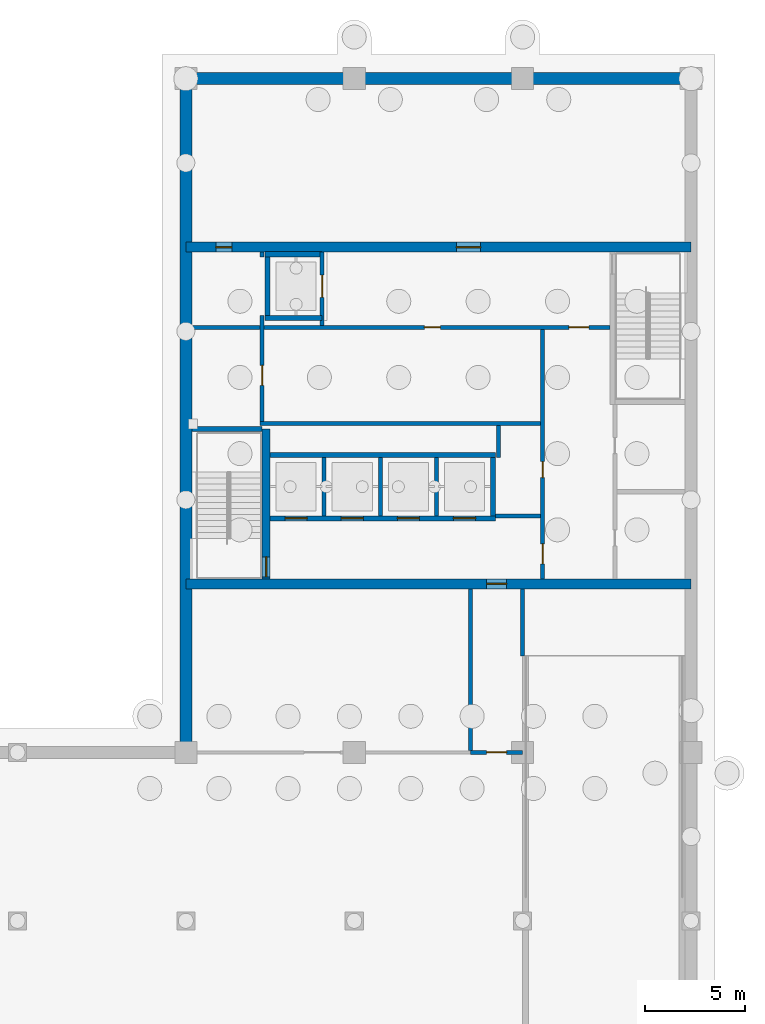
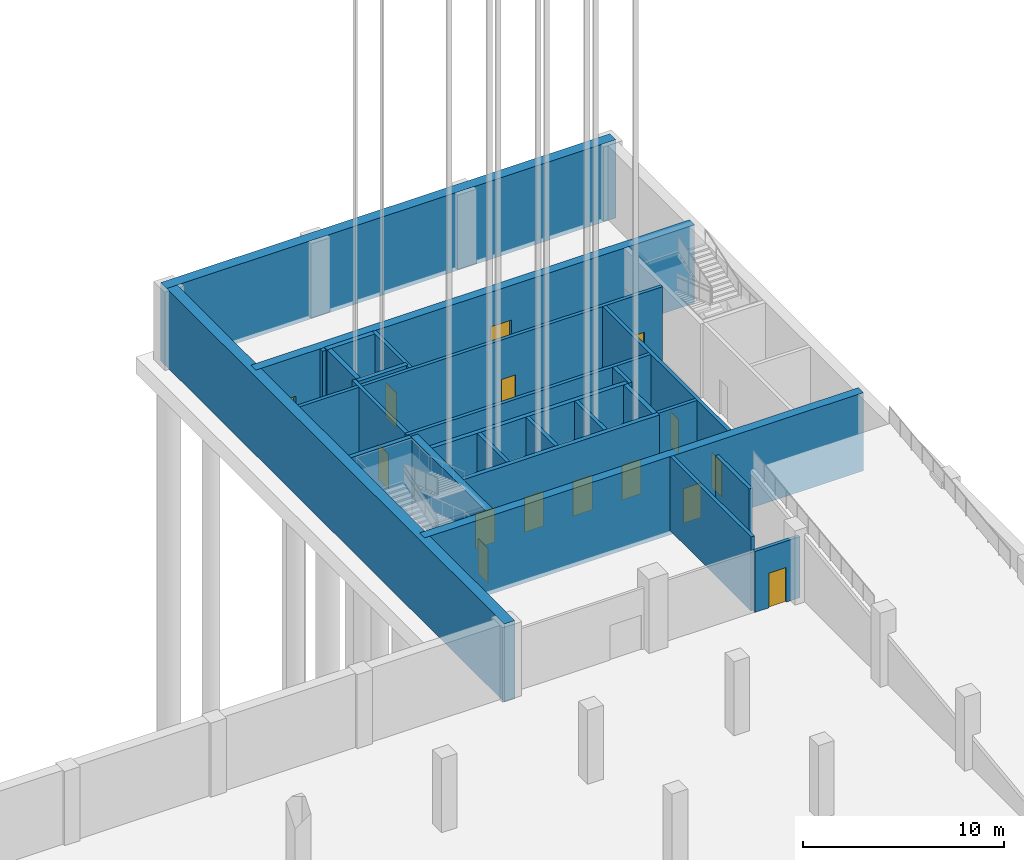
# One storey, part 7 of 26: 26 walls, 15 doors, 15 openings.
"""IFC4 building model written with IfcOpenShell, lengths in metres."""

from ifc_helpers import new_model, si_unit, direction, frame, frame_2d, origin, place, context, subcontext, project, spatial, rectangle, extrude, material, layer, layer_set, type_object, element, fill, save


model = new_model("IFC4")

# Units and contexts
model_context = context("Model", 3, precision=1e-05, world=origin(), true_north=direction((0.0, 1.0)))
body_context = subcontext(model_context, "Body", "Model", "MODEL_VIEW")
ifc_project = project(units=[si_unit("LENGTHUNIT", "METRE"), si_unit("AREAUNIT", "SQUARE_METRE"), si_unit("VOLUMEUNIT", "CUBIC_METRE"), si_unit("PLANEANGLEUNIT", "RADIAN"), si_unit("MASSUNIT", "GRAM", prefix="KILO")], contexts=[model_context])

# Site, building, storey
site_placement = place(None, origin())
site = spatial("IfcSite", under=ifc_project, at=site_placement, CompositionType="ELEMENT")
building_placement = place(site_placement, origin())
building = spatial("IfcBuilding", under=site, at=building_placement, Name="Rulbaag Community and Learning Centre", CompositionType="ELEMENT")
storey_placement = place(building_placement, frame((0.0, 0.0, -9.60009765625)))
storey = spatial("IfcBuildingStorey", under=building, at=storey_placement, Name="B2", CompositionType="ELEMENT", Elevation=-9.60009765625)

# Wall, opening, door
ifc_material_1 = material(Name="Concrete blockwork", Category="masonry")
ifc_layer_1 = layer(ifc_material_1, 0.199951171875)
ifc_layer_set_1 = layer_set([ifc_layer_1], Name="FW-200 FIRE WALL 200")
wall_type_1 = type_object("IfcWallType", Name="FW-200 FIRE WALL 200", PredefinedType="SOLIDWALL", material=ifc_layer_set_1)
wall_1_placement = place(storey_placement, frame((157.0, 84.0, 0.0), z_axis=(0.0, 0.0, 1.0), x_axis=(1.0, 0.0, 0.0)))
wall_1 = element("IfcWall", 1, at=wall_1_placement, inside=storey, type_object=wall_type_1, Name="Fire wall B2 14", PredefinedType="SOLIDWALL", context=body_context, shape_type="SweptSolid", body=[
    extrude(rectangle(XDim=2.60009765625, YDim=0.199951171875, at=frame_2d((1.300048828125, 0.0))), origin(), (0.0, 0.0, 1.0), 3.7001953125),
])
opening_1_placement = place(wall_1_placement, frame((0.800048828125, 0.0, 0.0)))
opening_1 = element("IfcOpeningElement", 2, at=opening_1_placement, cuts=wall_1, Name="Opening B2-D018", PredefinedType="OPENING", context=body_context, shape_type="SweptSolid", body=[
    extrude(rectangle(XDim=1.0, YDim=2.10009765625, at=frame_2d((0.5, 1.050048828125))), frame((0.0, 0.10986328125, 0.0), z_axis=(0.0, -1.0, 0.0), x_axis=(1.0, 0.0, 0.0)), (0.0, 0.0, 1.0), 0.219970703125),
])
ifc_material_2 = material(Name="Galvanised steel", Category="steel")
door_type_1 = type_object("IfcDoorType", Name="FD-1000 FIRE DOOR 1000 x 2100", OperationType="SINGLE_SWING_LEFT", PredefinedType="DOOR", material=ifc_material_2)
door_1_placement = place(opening_1_placement, origin())
door_1 = element("IfcDoor", 3, at=door_1_placement, inside=storey, type_object=door_type_1, Name="Door B2-D018", OperationType="SINGLE_SWING_RIGHT", OverallHeight=2.10009765625, OverallWidth=1.0, PredefinedType="DOOR", context=body_context, shape_type="SweptSolid", body=[
    extrude(rectangle(XDim=1.0, YDim=2.10009765625, at=frame_2d((0.5, 1.050048828125))), frame((0.0, 0.02490234375, 0.0), z_axis=(0.0, -1.0, 0.0), x_axis=(1.0, 0.0, 0.0)), (0.0, 0.0, 1.0), 0.050048828125),
])
fill(opening_1, door_1)

# Walls
wall_2_placement = place(storey_placement, frame((158.25, 95.800048828125, 0.0), z_axis=(0.0, 0.0, 1.0), x_axis=(1.0, 0.0, 0.0)))
element("IfcWall", 4, at=wall_2_placement, inside=storey, type_object=wall_type_1, Name="Fire wall B2 16", PredefinedType="SOLIDWALL", context=body_context, shape_type="SweptSolid", body=[
    extrude(rectangle(XDim=2.25, YDim=0.199951171875, at=frame_2d((1.125, 0.0))), origin(), (0.0, 0.0, 1.0), 4.5),
])
wall_3_placement = place(storey_placement, frame((146.5, 100.39990234375, 0.0), z_axis=(0.0, 0.0, 1.0), x_axis=(1.0, 0.0, 0.0)))
element("IfcWall", 5, at=wall_3_placement, inside=storey, type_object=wall_type_1, Name="Fire wall B2 18", PredefinedType="SOLIDWALL", context=body_context, shape_type="SweptSolid", body=[
    extrude(rectangle(XDim=14.0, YDim=0.199951171875, at=frame_2d((7.0, 0.0))), origin(), (0.0, 0.0, 1.0), 4.5),
])

# Wall, openings, doors
wall_4_placement = place(storey_placement, frame((143.10009765625, 105.199951171875, 0.0), z_axis=(0.0, 0.0, 1.0), x_axis=(1.0, 0.0, 0.0)))
wall_4 = element("IfcWall", 6, at=wall_4_placement, inside=storey, type_object=wall_type_1, Name="Fire wall B2 20", PredefinedType="SOLIDWALL", context=body_context, shape_type="SweptSolid", body=[
    extrude(rectangle(XDim=20.849853515625, YDim=0.199951171875, at=frame_2d((10.4248046875, 0.0))), origin(), (0.0, 0.0, 1.0), 4.5),
])
opening_2_placement = place(wall_4_placement, frame((11.60009765625, 0.0, 0.0)))
opening_2 = element("IfcOpeningElement", 7, at=opening_2_placement, cuts=wall_4, Name="Opening B2-D014", PredefinedType="OPENING", context=body_context, shape_type="SweptSolid", body=[
    extrude(rectangle(XDim=0.800048828125, YDim=2.10009765625, at=frame_2d((0.39990234375, 1.050048828125))), frame((0.0, 0.10986328125, 0.0), z_axis=(0.0, -1.0, 0.0), x_axis=(1.0, 0.0, 0.0)), (0.0, 0.0, 1.0), 0.219970703125),
])
opening_3_placement = place(wall_4_placement, frame((18.800048828125, 0.0, 0.0)))
opening_3 = element("IfcOpeningElement", 8, at=opening_3_placement, cuts=wall_4, Name="Opening B2-D022", PredefinedType="OPENING", context=body_context, shape_type="SweptSolid", body=[
    extrude(rectangle(XDim=1.0, YDim=2.10009765625, at=frame_2d((0.5, 1.050048828125))), frame((0.0, 0.10986328125, 0.0), z_axis=(0.0, -1.0, 0.0), x_axis=(1.0, 0.0, 0.0)), (0.0, 0.0, 1.0), 0.219970703125),
])
door_2_placement = place(opening_3_placement, origin())
door_2 = element("IfcDoor", 9, at=door_2_placement, inside=storey, type_object=door_type_1, Name="Door B2-D022", OperationType="SINGLE_SWING_LEFT", OverallHeight=2.10009765625, OverallWidth=1.0, PredefinedType="DOOR", context=body_context, shape_type="SweptSolid", body=[
    extrude(rectangle(XDim=1.0, YDim=2.10009765625, at=frame_2d((0.5, 1.050048828125))), frame((0.0, 0.02490234375, 0.0), z_axis=(0.0, -1.0, 0.0), x_axis=(1.0, 0.0, 0.0)), (0.0, 0.0, 1.0), 0.050048828125),
])
fill(opening_3, door_2)
door_type_2 = type_object("IfcDoorType", Name="FDR-800 RISER FIRE DOOR 800 x 2100", OperationType="SINGLE_SWING_LEFT", PredefinedType="DOOR", material=ifc_material_2)
door_3_placement = place(opening_2_placement, origin())
door_3 = element("IfcDoor", 10, at=door_3_placement, inside=storey, type_object=door_type_2, Name="Riser door B2-D019", OperationType="SINGLE_SWING_RIGHT", OverallHeight=2.10009765625, OverallWidth=0.800048828125, PredefinedType="DOOR", context=body_context, shape_type="SweptSolid", body=[
    extrude(rectangle(XDim=0.800048828125, YDim=2.10009765625, at=frame_2d((0.39990234375, 1.050048828125))), frame((0.0, 0.02490234375, 0.0), z_axis=(0.0, -1.0, 0.0), x_axis=(1.0, 0.0, 0.0)), (0.0, 0.0, 1.0), 0.050048828125),
])
fill(opening_2, door_3)

# Wall, opening, door
wall_5_placement = place(storey_placement, frame((146.60009765625, 100.5, 0.0), z_axis=(0.0, 0.0, 1.0), x_axis=(0.0, 1.0, 0.0)))
wall_5 = element("IfcWall", 11, at=wall_5_placement, inside=storey, type_object=wall_type_1, Name="Fire wall B2 24", PredefinedType="SOLIDWALL", context=body_context, shape_type="SweptSolid", body=[
    extrude(rectangle(XDim=5.300048828125, YDim=0.199951171875, at=frame_2d((2.64990234375, 0.0))), origin(), (0.0, 0.0, 1.0), 4.5),
])
opening_4_placement = place(wall_5_placement, frame((1.800048828125, 0.0, 0.0)))
opening_4 = element("IfcOpeningElement", 12, at=opening_4_placement, cuts=wall_5, Name="Opening B2-D007", PredefinedType="OPENING", context=body_context, shape_type="SweptSolid", body=[
    extrude(rectangle(XDim=1.0, YDim=2.10009765625, at=frame_2d((0.5, 1.050048828125))), frame((0.0, 0.10986328125, 0.0), z_axis=(0.0, -1.0, 0.0), x_axis=(1.0, 0.0, 0.0)), (0.0, 0.0, 1.0), 0.219970703125),
])
door_4_placement = place(opening_4_placement, origin())
door_4 = element("IfcDoor", 13, at=door_4_placement, inside=storey, type_object=door_type_1, Name="Door B2-D007", OperationType="SINGLE_SWING_LEFT", OverallHeight=2.10009765625, OverallWidth=1.0, PredefinedType="DOOR", context=body_context, shape_type="SweptSolid", body=[
    extrude(rectangle(XDim=1.0, YDim=2.10009765625, at=frame_2d((0.5, 1.050048828125))), frame((0.0, 0.02490234375, 0.0), z_axis=(0.0, -1.0, 0.0), x_axis=(1.0, 0.0, 0.0)), (0.0, 0.0, 1.0), 0.050048828125),
])
fill(opening_4, door_4)

# Wall
wall_6_placement = place(storey_placement, frame((146.60009765625, 108.699951171875, 0.0), z_axis=(0.0, 0.0, 1.0), x_axis=(0.0, 1.0, 0.0)))
element("IfcWall", 14, at=wall_6_placement, inside=storey, type_object=wall_type_1, Name="Fire wall B2 25", PredefinedType="SOLIDWALL", context=body_context, shape_type="SweptSolid", body=[
    extrude(rectangle(XDim=0.25, YDim=0.199951171875, at=frame_2d((0.125, 0.0))), origin(), (0.0, 0.0, 1.0), 4.5),
])

# Wall, opening, door
wall_7_placement = place(storey_placement, frame((149.60009765625, 105.300048828125, 0.0), z_axis=(0.0, 0.0, 1.0), x_axis=(0.0, 1.0, 0.0)))
wall_7 = element("IfcWall", 15, at=wall_7_placement, inside=storey, type_object=wall_type_1, Name="Fire wall B2 26", PredefinedType="SOLIDWALL", context=body_context, shape_type="SweptSolid", body=[
    extrude(rectangle(XDim=3.64990234375, YDim=0.199951171875, at=frame_2d((1.824951171875, 0.0))), origin(), (0.0, 0.0, 1.0), 4.5),
])
opening_5_placement = place(wall_7_placement, frame((1.39990234375, 0.0, 0.0)))
opening_5 = element("IfcOpeningElement", 16, at=opening_5_placement, cuts=wall_7, Name="Opening B2-D011", PredefinedType="OPENING", context=body_context, shape_type="SweptSolid", body=[
    extrude(rectangle(XDim=1.10009765625, YDim=2.10009765625, at=frame_2d((0.550048828125, 1.050048828125))), frame((0.0, 0.10986328125, 0.0), z_axis=(0.0, -1.0, 0.0), x_axis=(1.0, 0.0, 0.0)), (0.0, 0.0, 1.0), 0.219970703125),
])
ifc_material_3 = material(Name="Stainless steel grade 304", Category="steel")
door_type_3 = type_object("IfcDoorType", Name="LD-1100 LIFT LANDING DOOR 1100 x 2100", OperationType="SLIDING_TO_LEFT", PredefinedType="DOOR", material=ifc_material_3)
door_5_placement = place(opening_5_placement, origin())
door_5 = element("IfcDoor", 17, at=door_5_placement, inside=storey, type_object=door_type_3, Name="Lift landing door LF1 B2", OperationType="SLIDING_TO_LEFT", OverallHeight=2.10009765625, OverallWidth=1.10009765625, PredefinedType="DOOR", context=body_context, shape_type="SweptSolid", body=[
    extrude(rectangle(XDim=1.10009765625, YDim=2.10009765625, at=frame_2d((0.550048828125, 1.050048828125))), frame((0.0, 0.02490234375, 0.0), z_axis=(0.0, -1.0, 0.0), x_axis=(1.0, 0.0, 0.0)), (0.0, 0.0, 1.0), 0.050048828125),
])
fill(opening_5, door_5)

# Walls
wall_8_placement = place(storey_placement, frame((157.0, 84.10009765625, 0.0), z_axis=(0.0, 0.0, 1.0), x_axis=(0.0, 1.0, 0.0)))
element("IfcWall", 18, at=wall_8_placement, inside=storey, type_object=wall_type_1, Name="Fire wall B2 28", PredefinedType="SOLIDWALL", context=body_context, shape_type="SweptSolid", body=[
    extrude(rectangle(XDim=8.0498046875, YDim=0.199951171875, at=frame_2d((4.02490234375, 0.0))), origin(), (0.0, 0.0, 1.0), 4.5),
])
wall_9_placement = place(storey_placement, frame((158.39990234375, 98.699951171875, 0.0), z_axis=(0.0, 0.0, 1.0), x_axis=(0.0, 1.0, 0.0)))
element("IfcWall", 19, at=wall_9_placement, inside=storey, type_object=wall_type_1, Name="Fire wall B2 29", PredefinedType="SOLIDWALL", context=body_context, shape_type="SweptSolid", body=[
    extrude(rectangle(XDim=1.60009765625, YDim=0.199951171875, at=frame_2d((0.800048828125, 0.0))), origin(), (0.0, 0.0, 1.0), 4.5),
])
wall_10_placement = place(storey_placement, frame((159.60009765625, 88.800048828125, 0.0), z_axis=(0.0, 0.0, 1.0), x_axis=(0.0, 1.0, 0.0)))
element("IfcWall", 20, at=wall_10_placement, inside=storey, type_object=wall_type_1, Name="Fire wall B2 30", PredefinedType="SOLIDWALL", context=body_context, shape_type="SweptSolid", body=[
    extrude(rectangle(XDim=3.349853515625, YDim=0.199951171875, at=frame_2d((1.6748046875, 0.0))), origin(), (0.0, 0.0, 1.0), 3.650146484375),
])

# Wall, openings, doors
wall_11_placement = place(storey_placement, frame((160.60009765625, 92.64990234375, 0.0), z_axis=(0.0, 0.0, 1.0), x_axis=(0.0, 1.0, 0.0)))
wall_11 = element("IfcWall", 21, at=wall_11_placement, inside=storey, type_object=wall_type_1, Name="Fire wall B2 31", PredefinedType="SOLIDWALL", context=body_context, shape_type="SweptSolid", body=[
    extrude(rectangle(XDim=12.4501953125, YDim=0.199951171875, at=frame_2d((6.22509765625, 0.0))), origin(), (0.0, 0.0, 1.0), 4.5),
])
opening_6_placement = place(wall_11_placement, frame((5.050048828125, 0.0, 0.0)))
opening_6 = element("IfcOpeningElement", 22, at=opening_6_placement, cuts=wall_11, Name="Opening B2-D021", PredefinedType="OPENING", context=body_context, shape_type="SweptSolid", body=[
    extrude(rectangle(XDim=0.800048828125, YDim=2.10009765625, at=frame_2d((0.39990234375, 1.050048828125))), frame((0.0, 0.10986328125, 0.0), z_axis=(0.0, -1.0, 0.0), x_axis=(1.0, 0.0, 0.0)), (0.0, 0.0, 1.0), 0.219970703125),
])
opening_7_placement = place(wall_11_placement, frame((0.75, 0.0, 0.0)))
opening_7 = element("IfcOpeningElement", 23, at=opening_7_placement, cuts=wall_11, Name="Opening B2-D020", PredefinedType="OPENING", context=body_context, shape_type="SweptSolid", body=[
    extrude(rectangle(XDim=1.0, YDim=2.10009765625, at=frame_2d((0.5, 1.050048828125))), frame((0.0, 0.10986328125, 0.0), z_axis=(0.0, -1.0, 0.0), x_axis=(1.0, 0.0, 0.0)), (0.0, 0.0, 1.0), 0.219970703125),
])
door_6_placement = place(opening_7_placement, origin())
door_6 = element("IfcDoor", 24, at=door_6_placement, inside=storey, type_object=door_type_1, Name="Door B2-D020", OperationType="SINGLE_SWING_LEFT", OverallHeight=2.10009765625, OverallWidth=1.0, PredefinedType="DOOR", context=body_context, shape_type="SweptSolid", body=[
    extrude(rectangle(XDim=1.0, YDim=2.10009765625, at=frame_2d((0.5, 1.050048828125))), frame((0.0, 0.02490234375, 0.0), z_axis=(0.0, -1.0, 0.0), x_axis=(1.0, 0.0, 0.0)), (0.0, 0.0, 1.0), 0.050048828125),
])
fill(opening_7, door_6)
door_7_placement = place(opening_6_placement, origin())
door_7 = element("IfcDoor", 25, at=door_7_placement, inside=storey, type_object=door_type_2, Name="Riser door B2-D018", OperationType="SINGLE_SWING_RIGHT", OverallHeight=2.10009765625, OverallWidth=0.800048828125, PredefinedType="DOOR", context=body_context, shape_type="SweptSolid", body=[
    extrude(rectangle(XDim=0.800048828125, YDim=2.10009765625, at=frame_2d((0.39990234375, 1.050048828125))), frame((0.0, 0.02490234375, 0.0), z_axis=(0.0, -1.0, 0.0), x_axis=(1.0, 0.0, 0.0)), (0.0, 0.0, 1.0), 0.050048828125),
])
fill(opening_6, door_7)

# Wall
ifc_material_4 = material(Name="Concrete M40", Category="concrete")
ifc_layer_2 = layer(ifc_material_4, 0.27490234375)
ifc_layer_set_2 = layer_set([ifc_layer_2], Name="W16 Shaft wall 275 Concrete M40")
wall_type_2 = type_object("IfcWallType", Name="W16 Shaft wall 275 Concrete M40", PredefinedType="SHEAR", material=ifc_layer_set_2)
wall_12_placement = place(storey_placement, frame((146.75, 108.83740234375, -1.5), z_axis=(0.0, 0.0, 1.0), x_axis=(1.0, 0.0, 0.0)))
element("IfcWall", 26, at=wall_12_placement, inside=storey, type_object=wall_type_2, Name="WL-LF-N-B2", PredefinedType="SHEAR", context=body_context, shape_type="SweptSolid", body=[
    extrude(rectangle(XDim=2.85009765625, YDim=0.27490234375, at=frame_2d((1.425048828125, 0.0))), origin(), (0.0, 0.0, 1.0), 6.0),
])

# Wall, opening, door
ifc_material_5 = material(Name="Concrete M60", Category="concrete")
ifc_layer_3 = layer(ifc_material_5, 0.5)
ifc_layer_set_3 = layer_set([ifc_layer_3], Name="W4 Core wall 500 Concrete M60")
wall_type_3 = type_object("IfcWallType", Name="W4 Core wall 500 Concrete M60", PredefinedType="SHEAR", material=ifc_layer_set_3)
wall_13_placement = place(storey_placement, frame((142.800048828125, 92.39990234375, -0.25), z_axis=(0.0, 0.0, 1.0), x_axis=(1.0, 0.0, 0.0)))
wall_13 = element("IfcWall", 27, at=wall_13_placement, inside=storey, type_object=wall_type_3, Name="WL-CORE-S-B2", PredefinedType="SHEAR", context=body_context, shape_type="SweptSolid", body=[
    extrude(rectangle(XDim=25.199951171875, YDim=0.5, at=frame_2d((12.60009765625, 0.0))), origin(), (0.0, 0.0, 1.0), 4.75),
])
opening_8_placement = place(wall_13_placement, frame((15.0, 0.0, 0.25)))
opening_8 = element("IfcOpeningElement", 28, at=opening_8_placement, cuts=wall_13, Name="Opening B2-D019", PredefinedType="OPENING", context=body_context, shape_type="SweptSolid", body=[
    extrude(rectangle(XDim=1.0, YDim=2.10009765625, at=frame_2d((0.5, 1.050048828125))), frame((0.0, 0.260009765625, 0.0), z_axis=(0.0, -1.0, 0.0), x_axis=(1.0, 0.0, 0.0)), (0.0, 0.0, 1.0), 0.52001953125),
])
door_8_placement = place(opening_8_placement, origin())
door_8 = element("IfcDoor", 29, at=door_8_placement, inside=storey, type_object=door_type_1, Name="Door B2-D019", OperationType="SINGLE_SWING_RIGHT", OverallHeight=2.10009765625, OverallWidth=1.0, PredefinedType="DOOR", context=body_context, shape_type="SweptSolid", body=[
    extrude(rectangle(XDim=1.0, YDim=2.10009765625, at=frame_2d((0.5, 1.050048828125))), frame((0.0, 0.02490234375, 0.0), z_axis=(0.0, -1.0, 0.0), x_axis=(1.0, 0.0, 0.0)), (0.0, 0.0, 1.0), 0.050048828125),
])
fill(opening_8, door_8)

# Wall, openings, doors
wall_14_placement = place(storey_placement, frame((142.800048828125, 109.199951171875, -0.25), z_axis=(0.0, 0.0, 1.0), x_axis=(1.0, 0.0, 0.0)))
wall_14 = element("IfcWall", 30, at=wall_14_placement, inside=storey, type_object=wall_type_3, Name="WL-CORE-N-B2", PredefinedType="SHEAR", context=body_context, shape_type="SweptSolid", body=[
    extrude(rectangle(XDim=25.199951171875, YDim=0.5, at=frame_2d((12.60009765625, 0.0))), origin(), (0.0, 0.0, 1.0), 4.75),
])
opening_9_placement = place(wall_14_placement, frame((13.5, 0.0, 0.25)))
opening_9 = element("IfcOpeningElement", 31, at=opening_9_placement, cuts=wall_14, Name="Opening B2-D016", PredefinedType="OPENING", context=body_context, shape_type="SweptSolid", body=[
    extrude(rectangle(XDim=1.199951171875, YDim=2.39990234375, at=frame_2d((0.60009765625, 1.199951171875))), frame((0.0, 0.260009765625, 0.0), z_axis=(0.0, -1.0, 0.0), x_axis=(1.0, 0.0, 0.0)), (0.0, 0.0, 1.0), 0.52001953125),
])
opening_10_placement = place(wall_14_placement, frame((1.5, 0.0, 0.25)))
opening_10 = element("IfcOpeningElement", 32, at=opening_10_placement, cuts=wall_14, Name="Opening B2-D006", PredefinedType="OPENING", context=body_context, shape_type="SweptSolid", body=[
    extrude(rectangle(XDim=0.800048828125, YDim=2.10009765625, at=frame_2d((0.39990234375, 1.050048828125))), frame((0.0, 0.260009765625, 0.0), z_axis=(0.0, -1.0, 0.0), x_axis=(1.0, 0.0, 0.0)), (0.0, 0.0, 1.0), 0.52001953125),
])
door_type_4 = type_object("IfcDoorType", Name="DP-1200 PLANT ROOM DOOR 1200 x 2400", OperationType="SINGLE_SWING_LEFT", PredefinedType="DOOR", material=ifc_material_2)
door_9_placement = place(opening_9_placement, origin())
door_9 = element("IfcDoor", 33, at=door_9_placement, inside=storey, type_object=door_type_4, Name="Door B2-D016", OperationType="SINGLE_SWING_RIGHT", OverallHeight=2.39990234375, OverallWidth=1.199951171875, PredefinedType="DOOR", context=body_context, shape_type="SweptSolid", body=[
    extrude(rectangle(XDim=1.199951171875, YDim=2.39990234375, at=frame_2d((0.60009765625, 1.199951171875))), frame((0.0, 0.02490234375, 0.0), z_axis=(0.0, -1.0, 0.0), x_axis=(1.0, 0.0, 0.0)), (0.0, 0.0, 1.0), 0.050048828125),
])
fill(opening_9, door_9)
door_10_placement = place(opening_10_placement, origin())
door_10 = element("IfcDoor", 34, at=door_10_placement, inside=storey, type_object=door_type_2, Name="Riser door B2-D021", OperationType="SINGLE_SWING_RIGHT", OverallHeight=2.10009765625, OverallWidth=0.800048828125, PredefinedType="DOOR", context=body_context, shape_type="SweptSolid", body=[
    extrude(rectangle(XDim=0.800048828125, YDim=2.10009765625, at=frame_2d((0.39990234375, 1.050048828125))), frame((0.0, 0.02490234375, 0.0), z_axis=(0.0, -1.0, 0.0), x_axis=(1.0, 0.0, 0.0)), (0.0, 0.0, 1.0), 0.050048828125),
])
fill(opening_10, door_10)

# Wall
ifc_layer_4 = layer(ifc_material_4, 0.25)
ifc_layer_set_4 = layer_set([ifc_layer_4], Name="W5 Shaft wall 250 Concrete M40")
wall_type_4 = type_object("IfcWallType", Name="W5 Shaft wall 250 Concrete M40", PredefinedType="SHEAR", material=ifc_layer_set_4)
wall_15_placement = place(storey_placement, frame((143.10009765625, 100.125, -0.25), z_axis=(0.0, 0.0, 1.0), x_axis=(1.0, 0.0, 0.0)))
element("IfcWall", 35, at=wall_15_placement, inside=storey, type_object=wall_type_4, Name="WL-ST1-N-B2", PredefinedType="SHEAR", context=body_context, shape_type="SweptSolid", body=[
    extrude(rectangle(XDim=3.5, YDim=0.25, at=frame_2d((1.75, 0.0))), origin(), (0.0, 0.0, 1.0), 4.75),
])

# Wall, openings, doors
wall_16_placement = place(storey_placement, frame((147.0, 95.675048828125, -1.5), z_axis=(0.0, 0.0, 1.0), x_axis=(1.0, 0.0, 0.0)))
wall_16 = element("IfcWall", 36, at=wall_16_placement, inside=storey, type_object=wall_type_4, Name="WL-LP-S-B2", PredefinedType="SHEAR", context=body_context, shape_type="SweptSolid", body=[
    extrude(rectangle(XDim=11.25, YDim=0.25, at=frame_2d((5.625, 0.0))), origin(), (0.0, 0.0, 1.0), 6.0),
])
opening_11_placement = place(wall_16_placement, frame((0.75, 0.0, 1.5)))
opening_11 = element("IfcOpeningElement", 37, at=opening_11_placement, cuts=wall_16, Name="Opening B2-D009", PredefinedType="OPENING", context=body_context, shape_type="SweptSolid", body=[
    extrude(rectangle(XDim=1.10009765625, YDim=2.10009765625, at=frame_2d((0.550048828125, 1.050048828125))), frame((0.0, 0.135009765625, 0.0), z_axis=(0.0, -1.0, 0.0), x_axis=(1.0, 0.0, 0.0)), (0.0, 0.0, 1.0), 0.27001953125),
])
opening_12_placement = place(wall_16_placement, frame((3.550048828125, 0.0, 1.5)))
opening_12 = element("IfcOpeningElement", 38, at=opening_12_placement, cuts=wall_16, Name="Opening B2-D012", PredefinedType="OPENING", context=body_context, shape_type="SweptSolid", body=[
    extrude(rectangle(XDim=1.10009765625, YDim=2.10009765625, at=frame_2d((0.550048828125, 1.050048828125))), frame((0.0, 0.135009765625, 0.0), z_axis=(0.0, -1.0, 0.0), x_axis=(1.0, 0.0, 0.0)), (0.0, 0.0, 1.0), 0.27001953125),
])
opening_13_placement = place(wall_16_placement, frame((6.35009765625, 0.0, 1.5)))
opening_13 = element("IfcOpeningElement", 39, at=opening_13_placement, cuts=wall_16, Name="Opening B2-D013", PredefinedType="OPENING", context=body_context, shape_type="SweptSolid", body=[
    extrude(rectangle(XDim=1.10009765625, YDim=2.10009765625, at=frame_2d((0.550048828125, 1.050048828125))), frame((0.0, 0.135009765625, 0.0), z_axis=(0.0, -1.0, 0.0), x_axis=(1.0, 0.0, 0.0)), (0.0, 0.0, 1.0), 0.27001953125),
])
opening_14_placement = place(wall_16_placement, frame((9.14990234375, 0.0, 1.5)))
opening_14 = element("IfcOpeningElement", 40, at=opening_14_placement, cuts=wall_16, Name="Opening B2-D015", PredefinedType="OPENING", context=body_context, shape_type="SweptSolid", body=[
    extrude(rectangle(XDim=1.10009765625, YDim=2.10009765625, at=frame_2d((0.550048828125, 1.050048828125))), frame((0.0, 0.135009765625, 0.0), z_axis=(0.0, -1.0, 0.0), x_axis=(1.0, 0.0, 0.0)), (0.0, 0.0, 1.0), 0.27001953125),
])
door_11_placement = place(opening_11_placement, origin())
door_11 = element("IfcDoor", 41, at=door_11_placement, inside=storey, type_object=door_type_3, Name="Lift landing door LP1 B2", OperationType="SLIDING_TO_LEFT", OverallHeight=2.10009765625, OverallWidth=1.10009765625, PredefinedType="DOOR", context=body_context, shape_type="SweptSolid", body=[
    extrude(rectangle(XDim=1.10009765625, YDim=2.10009765625, at=frame_2d((0.550048828125, 1.050048828125))), frame((0.0, 0.02490234375, 0.0), z_axis=(0.0, -1.0, 0.0), x_axis=(1.0, 0.0, 0.0)), (0.0, 0.0, 1.0), 0.050048828125),
])
fill(opening_11, door_11)
door_12_placement = place(opening_12_placement, origin())
door_12 = element("IfcDoor", 42, at=door_12_placement, inside=storey, type_object=door_type_3, Name="Lift landing door LP2 B2", OperationType="SLIDING_TO_LEFT", OverallHeight=2.10009765625, OverallWidth=1.10009765625, PredefinedType="DOOR", context=body_context, shape_type="SweptSolid", body=[
    extrude(rectangle(XDim=1.10009765625, YDim=2.10009765625, at=frame_2d((0.550048828125, 1.050048828125))), frame((0.0, 0.02490234375, 0.0), z_axis=(0.0, -1.0, 0.0), x_axis=(1.0, 0.0, 0.0)), (0.0, 0.0, 1.0), 0.050048828125),
])
fill(opening_12, door_12)
door_13_placement = place(opening_13_placement, origin())
door_13 = element("IfcDoor", 43, at=door_13_placement, inside=storey, type_object=door_type_3, Name="Lift landing door LP3 B2", OperationType="SLIDING_TO_LEFT", OverallHeight=2.10009765625, OverallWidth=1.10009765625, PredefinedType="DOOR", context=body_context, shape_type="SweptSolid", body=[
    extrude(rectangle(XDim=1.10009765625, YDim=2.10009765625, at=frame_2d((0.550048828125, 1.050048828125))), frame((0.0, 0.02490234375, 0.0), z_axis=(0.0, -1.0, 0.0), x_axis=(1.0, 0.0, 0.0)), (0.0, 0.0, 1.0), 0.050048828125),
])
fill(opening_13, door_13)
door_14_placement = place(opening_14_placement, origin())
door_14 = element("IfcDoor", 44, at=door_14_placement, inside=storey, type_object=door_type_3, Name="Lift landing door LP4 B2", OperationType="SLIDING_TO_LEFT", OverallHeight=2.10009765625, OverallWidth=1.10009765625, PredefinedType="DOOR", context=body_context, shape_type="SweptSolid", body=[
    extrude(rectangle(XDim=1.10009765625, YDim=2.10009765625, at=frame_2d((0.550048828125, 1.050048828125))), frame((0.0, 0.02490234375, 0.0), z_axis=(0.0, -1.0, 0.0), x_axis=(1.0, 0.0, 0.0)), (0.0, 0.0, 1.0), 0.050048828125),
])
fill(opening_14, door_14)

# Walls
wall_17_placement = place(storey_placement, frame((147.0, 98.824951171875, -1.5), z_axis=(0.0, 0.0, 1.0), x_axis=(1.0, 0.0, 0.0)))
element("IfcWall", 45, at=wall_17_placement, inside=storey, type_object=wall_type_4, Name="WL-LP-N-B2", PredefinedType="SHEAR", context=body_context, shape_type="SweptSolid", body=[
    extrude(rectangle(XDim=11.25, YDim=0.25, at=frame_2d((5.625, 0.0))), origin(), (0.0, 0.0, 1.0), 6.0),
])
wall_18_placement = place(storey_placement, frame((158.125, 95.800048828125, -1.5), z_axis=(0.0, 0.0, 1.0), x_axis=(0.0, 1.0, 0.0)))
element("IfcWall", 46, at=wall_18_placement, inside=storey, type_object=wall_type_4, Name="WL-LP-E-B2", PredefinedType="SHEAR", context=body_context, shape_type="SweptSolid", body=[
    extrude(rectangle(XDim=2.89990234375, YDim=0.25, at=frame_2d((1.449951171875, 0.0))), origin(), (0.0, 0.0, 1.0), 6.0),
])
wall_19_placement = place(storey_placement, frame((146.75, 105.675048828125, -1.5), z_axis=(0.0, 0.0, 1.0), x_axis=(1.0, 0.0, 0.0)))
element("IfcWall", 47, at=wall_19_placement, inside=storey, type_object=wall_type_4, Name="WL-LF-S-B2", PredefinedType="SHEAR", context=body_context, shape_type="SweptSolid", body=[
    extrude(rectangle(XDim=2.85009765625, YDim=0.25, at=frame_2d((1.425048828125, 0.0))), origin(), (0.0, 0.0, 1.0), 6.0),
])
wall_20_placement = place(storey_placement, frame((146.875, 105.800048828125, -1.5), z_axis=(0.0, 0.0, 1.0), x_axis=(0.0, 1.0, 0.0)))
element("IfcWall", 48, at=wall_20_placement, inside=storey, type_object=wall_type_4, Name="WL-LF-W-B2", PredefinedType="SHEAR", context=body_context, shape_type="SweptSolid", body=[
    extrude(rectangle(XDim=2.89990234375, YDim=0.25, at=frame_2d((1.449951171875, 0.0))), origin(), (0.0, 0.0, 1.0), 6.0),
])
ifc_layer_5 = layer(ifc_material_4, 0.199951171875)
ifc_layer_set_5 = layer_set([ifc_layer_5], Name="W6 Shaft divider 200 Concrete M40")
wall_type_5 = type_object("IfcWallType", Name="W6 Shaft divider 200 Concrete M40", PredefinedType="SHEAR", material=ifc_layer_set_5)
for number, where, z_axis, x_axis, name in (
    (49, (149.699951171875, 95.800048828125, -1.5), (0.0, 0.0, 1.0), (0.0, 1.0, 0.0), "WL-LP-D1-B2"),
    (50, (152.5, 95.800048828125, -1.5), (0.0, 0.0, 1.0), (0.0, 1.0, 0.0), "WL-LP-D2-B2"),
    (51, (155.300048828125, 95.800048828125, -1.5), (0.0, 0.0, 1.0), (0.0, 1.0, 0.0), "WL-LP-D3-B2"),
):
    element("IfcWall", number, at=place(storey_placement, frame(where, z_axis=z_axis, x_axis=x_axis)), inside=storey, type_object=wall_type_5, Name=name, PredefinedType="SHEAR", context=body_context, shape_type="SweptSolid", body=[
        extrude(rectangle(XDim=2.89990234375, YDim=0.199951171875, at=frame_2d((1.449951171875, 0.0))), origin(), (0.0, 0.0, 1.0), 6.0),
    ])

# Wall, opening, door
ifc_layer_6 = layer(ifc_material_4, 0.39990234375)
ifc_layer_set_6 = layer_set([ifc_layer_6], Name="W7 Stair wall 400 Concrete M40")
wall_type_6 = type_object("IfcWallType", Name="W7 Stair wall 400 Concrete M40", PredefinedType="SHEAR", material=ifc_layer_set_6)
wall_21_placement = place(storey_placement, frame((146.800048828125, 92.64990234375, -0.25), z_axis=(0.0, 0.0, 1.0), x_axis=(0.0, 1.0, 0.0)))
wall_21 = element("IfcWall", 52, at=wall_21_placement, inside=storey, type_object=wall_type_6, Name="WL-ST1-E-B2", PredefinedType="SHEAR", context=body_context, shape_type="SweptSolid", body=[
    extrude(rectangle(XDim=7.47509765625, YDim=0.39990234375, at=frame_2d((3.737548828125, 0.0))), origin(), (0.0, 0.0, 1.0), 4.75),
])
opening_15_placement = place(wall_21_placement, frame((0.10009765625, 0.0, 0.25)))
opening_15 = element("IfcOpeningElement", 53, at=opening_15_placement, cuts=wall_21, Name="Opening B2-D008", PredefinedType="OPENING", context=body_context, shape_type="SweptSolid", body=[
    extrude(rectangle(XDim=1.0, YDim=2.10009765625, at=frame_2d((0.5, 1.050048828125))), frame((0.0, 0.2099609375, 0.0), z_axis=(0.0, -1.0, 0.0), x_axis=(1.0, 0.0, 0.0)), (0.0, 0.0, 1.0), 0.419921875),
])
door_15_placement = place(opening_15_placement, origin())
door_15 = element("IfcDoor", 54, at=door_15_placement, inside=storey, type_object=door_type_1, Name="Door B2-D008", OperationType="SINGLE_SWING_RIGHT", OverallHeight=2.10009765625, OverallWidth=1.0, PredefinedType="DOOR", context=body_context, shape_type="SweptSolid", body=[
    extrude(rectangle(XDim=1.0, YDim=2.10009765625, at=frame_2d((0.5, 1.050048828125))), frame((0.0, 0.02490234375, 0.0), z_axis=(0.0, -1.0, 0.0), x_axis=(1.0, 0.0, 0.0)), (0.0, 0.0, 1.0), 0.050048828125),
])
fill(opening_15, door_15)

# Walls
ifc_layer_7 = layer(ifc_material_4, 0.60009765625)
ifc_layer_set_7 = layer_set([ifc_layer_7], Name="W9 Retaining wall 600 Concrete M40")
wall_type_7 = type_object("IfcWallType", Name="W9 Retaining wall 600 Concrete M40", PredefinedType="SOLIDWALL", material=ifc_layer_set_7)
wall_22_placement = place(storey_placement, frame((168.300048828125, 117.60009765625, -0.25), z_axis=(0.0, 0.0, 1.0), x_axis=(-1.0, 0.0, 0.0)))
element("IfcWall", 55, at=wall_22_placement, inside=storey, type_object=wall_type_7, Name="WL-RET-3-B2", PredefinedType="SOLIDWALL", context=body_context, shape_type="SweptSolid", body=[
    extrude(rectangle(XDim=25.800048828125, YDim=0.60009765625, at=frame_2d((12.89990234375, 0.0))), origin(), (0.0, 0.0, 1.0), 4.75),
])
wall_23_placement = place(storey_placement, frame((142.800048828125, 117.89990234375, -0.25), z_axis=(0.0, 0.0, 1.0), x_axis=(0.0, -1.0, 0.0)))
element("IfcWall", 56, at=wall_23_placement, inside=storey, type_object=wall_type_7, Name="WL-RET-4-B2", PredefinedType="SOLIDWALL", context=body_context, shape_type="SweptSolid", body=[
    extrude(rectangle(XDim=34.199951171875, YDim=0.60009765625, at=frame_2d((17.10009765625, 0.0))), origin(), (0.0, 0.0, 1.0), 4.75),
])

save(model, "model.ifc")
